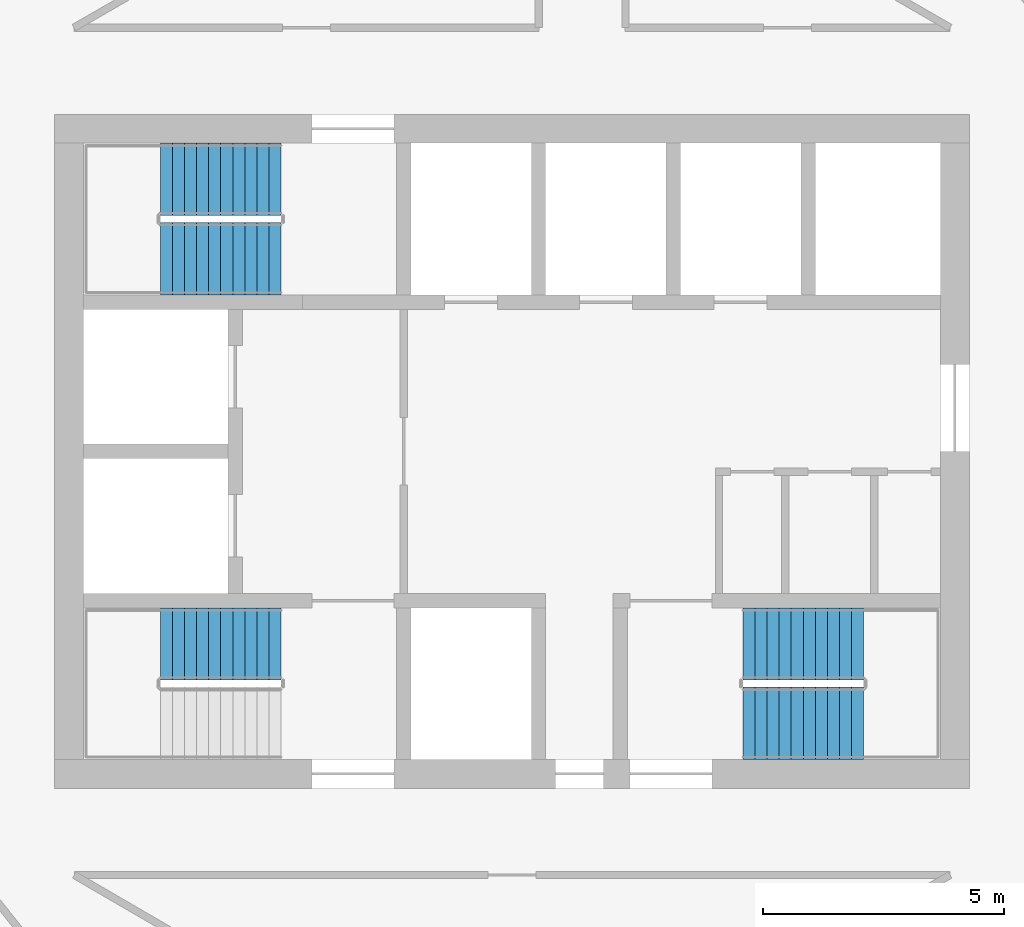
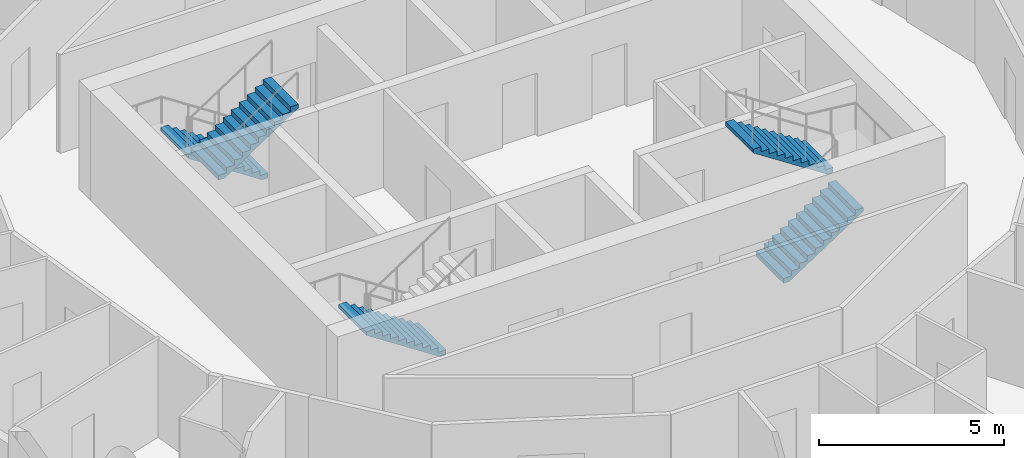
# One storey, part 10 of 11: 5 stair flights, 3 elements without a shape of their own.
"""IFC4 building model written with IfcOpenShell, lengths in metres."""

from ifc_helpers import new_model, si_unit, direction, frame, origin, place, context, subcontext, project, spatial, polyline, outline, extrude, material, type_object, element, aggregate, save


model = new_model("IFC4")

# Units and contexts
model_context = context("Model", 3, precision=1e-05, world=origin(), true_north=direction((0.0, 1.0)))
body_context = subcontext(model_context, "Body", "Model", "MODEL_VIEW")
ifc_project = project(units=[si_unit("LENGTHUNIT", "METRE"), si_unit("AREAUNIT", "SQUARE_METRE"), si_unit("VOLUMEUNIT", "CUBIC_METRE"), si_unit("PLANEANGLEUNIT", "RADIAN"), si_unit("MASSUNIT", "GRAM", prefix="KILO")], contexts=[model_context])

# Site, building, storey
site_placement = place(None, origin())
site = spatial("IfcSite", under=ifc_project, at=site_placement, CompositionType="ELEMENT")
building_placement = place(site_placement, origin())
building = spatial("IfcBuilding", under=site, at=building_placement, Name="Tracery Tower", CompositionType="ELEMENT")
storey_placement = place(building_placement, frame((0.0, 0.0, 267.0)))
storey = spatial("IfcBuildingStorey", under=building, at=storey_placement, Name="L69", CompositionType="ELEMENT", Elevation=267.0)

# Stair, stair flight
ifc_material_1 = material(Name="Concrete C32/40", Category="concrete")
stair_type = type_object("IfcStairType", Name="Core stair 22 risers", PredefinedType="HALF_TURN_STAIR", material=ifc_material_1)
stair_1_placement = place(storey_placement, origin())
stair_1 = element("IfcStair", 1, at=stair_1_placement, inside=storey, type_object=stair_type, Name="L69 stair ST1", PredefinedType="HALF_TURN_STAIR")
ifc_material_2 = material(Name="Concrete C32/40", Category="concrete")
stair_flight_type = type_object("IfcStairFlightType", Name="Core stair flight 11 risers", PredefinedType="STRAIGHT", material=ifc_material_2)
stair_flight_1_placement = place(storey_placement, frame((-4.800048828125, -4.0, 0.0), z_axis=(0.0, 0.0, 1.0), x_axis=(-1.0, 0.0, 0.0)))
stair_flight_1 = element("IfcStairFlight", 2, at=stair_flight_1_placement, type_object=stair_flight_type, Name="ST1 flight 1", NumberOfRisers=11, NumberOfTreads=10, PredefinedType="STRAIGHT", RiserHeight=0.163636364, TreadLength=0.25, context=body_context, shape_type="SweptSolid", body=[
    extrude(outline(polyline([(0.0, 0.0), (0.0, 0.002685546875), (0.0, 0.00537109375), (0.0, 0.008056640625), (0.0, 0.0107421875), (0.0, 0.013427734375), (0.0, 0.01611328125), (0.0, 0.018798828125), (0.0, 0.021484375), (0.0, 0.024169921875), (0.0, 0.02685546875), (0.0, 0.029541015625), (0.0, 0.0322265625), (0.0, 0.034912109375), (0.0, 0.03759765625), (0.0, 0.040283203125), (0.0, 0.04296875), (0.0, 0.045654296875), (0.0, 0.04833984375), (0.0, 0.051025390625), (0.0, 0.0537109375), (0.0, 0.056396484375), (0.0, 0.05908203125), (0.0, 0.061767578125), (0.0, 0.064453125), (0.0, 0.067138671875), (0.0, 0.06982421875), (0.0, 0.072509765625), (0.0, 0.0751953125), (0.0, 0.077880859375), (0.0, 0.08056640625), (0.0, 0.083251953125), (0.0, 0.0859375), (0.0, 0.088623046875), (0.0, 0.09130859375), (0.0, 0.093994140625), (0.0, 0.0966796875), (0.0, 0.099365234375), (0.0, 0.10205078125), (0.0, 0.104736328125), (0.0, 0.107421875), (0.0, 0.10986328125), (0.0, 0.112548828125), (0.0, 0.115234375), (0.0, 0.117919921875), (0.0, 0.12060546875), (0.0, 0.123291015625), (0.0, 0.1259765625), (0.0, 0.128662109375), (0.0, 0.13134765625), (0.0, 0.134033203125), (0.0, 0.13671875), (0.0, 0.139404296875), (0.0, 0.14208984375), (0.0, 0.144775390625), (0.0, 0.1474609375), (0.0, 0.150146484375), (0.0, 0.15283203125), (0.0, 0.155517578125), (0.0, 0.158203125), (0.0, 0.160888671875), (0.0, 0.16357421875), (0.25, 0.16357421875), (0.25, 0.327392578125), (0.5, 0.327392578125), (0.5, 0.490966796875), (0.75, 0.490966796875), (0.75, 0.654541015625), (1.0, 0.654541015625), (1.0, 0.818115234375), (1.25, 0.818115234375), (1.25, 0.98193359375), (1.5, 0.98193359375), (1.5, 1.1455078125), (1.75, 1.1455078125), (1.75, 1.30908203125), (2.0, 1.30908203125), (2.0, 1.47265625), (2.25, 1.47265625), (2.25, 1.636474609375), (2.5, 1.636474609375), (2.5, 1.634521484375), (2.5, 1.63232421875), (2.5, 1.63037109375), (2.5, 1.62841796875), (2.5, 1.62646484375), (2.5, 1.62451171875), (2.5, 1.62255859375), (2.5, 1.62060546875), (2.5, 1.61865234375), (2.5, 1.61669921875), (2.5, 1.61474609375), (2.5, 1.61279296875), (2.5, 1.61083984375), (2.5, 1.60888671875), (2.5, 1.60693359375), (2.5, 1.60498046875), (2.5, 1.60302734375), (2.5, 1.60107421875), (2.5, 1.59912109375), (2.5, 1.59716796875), (2.5, 1.59521484375), (2.5, 1.59326171875), (2.5, 1.59130859375), (2.5, 1.58935546875), (2.5, 1.58740234375), (2.5, 1.58544921875), (2.5, 1.58349609375), (2.5, 1.58154296875), (2.5, 1.57958984375), (2.5, 1.57763671875), (2.5, 1.57568359375), (2.5, 1.573486328125), (2.5, 1.571533203125), (2.5, 1.569580078125), (2.5, 1.567626953125), (2.5, 1.565673828125), (2.5, 1.563720703125), (2.5, 1.561767578125), (2.5, 1.559814453125), (2.5, 1.557861328125), (2.5, 1.555908203125), (2.5, 1.553955078125), (2.5, 1.552001953125), (2.5, 1.550048828125), (2.5, 1.548095703125), (2.5, 1.546142578125), (2.5, 1.544189453125), (2.5, 1.542236328125), (2.5, 1.540283203125), (2.5, 1.538330078125), (2.5, 1.536376953125), (2.5, 1.534423828125), (2.5, 1.532470703125), (2.5, 1.530517578125), (2.5, 1.528564453125), (2.5, 1.526611328125), (2.5, 1.524658203125), (2.5, 1.522705078125), (2.5, 1.520751953125), (2.5, 1.518798828125), (2.5, 1.516845703125), (0.182861328125, 0.0), (0.0, 0.0)])), frame((0.0, 0.75, 0.0), z_axis=(0.0, -1.0, 0.0), x_axis=(1.0, 0.0, 0.0)), (0.0, 0.0, 1.0), 1.5),
])
aggregate(stair_1, [stair_flight_1])

# Stair, stair flights
stair_2_placement = place(storey_placement, origin())
stair_2 = element("IfcStair", 3, at=stair_2_placement, inside=storey, type_object=stair_type, Name="L69 stair ST3", PredefinedType="HALF_TURN_STAIR")
stair_flight_2_placement = place(storey_placement, frame((-4.800048828125, 5.64990234375, 0.0), z_axis=(0.0, 0.0, 1.0), x_axis=(-1.0, 0.0, 0.0)))
stair_flight_2 = element("IfcStairFlight", 4, at=stair_flight_2_placement, type_object=stair_flight_type, Name="ST3 flight 1", NumberOfRisers=11, NumberOfTreads=10, PredefinedType="STRAIGHT", RiserHeight=0.163636364, TreadLength=0.25, context=body_context, shape_type="SweptSolid", body=[
    extrude(outline(polyline([(0.0, 0.0), (0.0, 0.002685546875), (0.0, 0.00537109375), (0.0, 0.008056640625), (0.0, 0.0107421875), (0.0, 0.013427734375), (0.0, 0.01611328125), (0.0, 0.018798828125), (0.0, 0.021484375), (0.0, 0.024169921875), (0.0, 0.02685546875), (0.0, 0.029541015625), (0.0, 0.0322265625), (0.0, 0.034912109375), (0.0, 0.03759765625), (0.0, 0.040283203125), (0.0, 0.04296875), (0.0, 0.045654296875), (0.0, 0.04833984375), (0.0, 0.051025390625), (0.0, 0.0537109375), (0.0, 0.056396484375), (0.0, 0.05908203125), (0.0, 0.061767578125), (0.0, 0.064453125), (0.0, 0.067138671875), (0.0, 0.06982421875), (0.0, 0.072509765625), (0.0, 0.0751953125), (0.0, 0.077880859375), (0.0, 0.08056640625), (0.0, 0.083251953125), (0.0, 0.0859375), (0.0, 0.088623046875), (0.0, 0.09130859375), (0.0, 0.093994140625), (0.0, 0.0966796875), (0.0, 0.099365234375), (0.0, 0.10205078125), (0.0, 0.104736328125), (0.0, 0.107421875), (0.0, 0.10986328125), (0.0, 0.112548828125), (0.0, 0.115234375), (0.0, 0.117919921875), (0.0, 0.12060546875), (0.0, 0.123291015625), (0.0, 0.1259765625), (0.0, 0.128662109375), (0.0, 0.13134765625), (0.0, 0.134033203125), (0.0, 0.13671875), (0.0, 0.139404296875), (0.0, 0.14208984375), (0.0, 0.144775390625), (0.0, 0.1474609375), (0.0, 0.150146484375), (0.0, 0.15283203125), (0.0, 0.155517578125), (0.0, 0.158203125), (0.0, 0.160888671875), (0.0, 0.16357421875), (0.25, 0.16357421875), (0.25, 0.327392578125), (0.5, 0.327392578125), (0.5, 0.490966796875), (0.75, 0.490966796875), (0.75, 0.654541015625), (1.0, 0.654541015625), (1.0, 0.818115234375), (1.25, 0.818115234375), (1.25, 0.98193359375), (1.5, 0.98193359375), (1.5, 1.1455078125), (1.75, 1.1455078125), (1.75, 1.30908203125), (2.0, 1.30908203125), (2.0, 1.47265625), (2.25, 1.47265625), (2.25, 1.636474609375), (2.5, 1.636474609375), (2.5, 1.634521484375), (2.5, 1.63232421875), (2.5, 1.63037109375), (2.5, 1.62841796875), (2.5, 1.62646484375), (2.5, 1.62451171875), (2.5, 1.62255859375), (2.5, 1.62060546875), (2.5, 1.61865234375), (2.5, 1.61669921875), (2.5, 1.61474609375), (2.5, 1.61279296875), (2.5, 1.61083984375), (2.5, 1.60888671875), (2.5, 1.60693359375), (2.5, 1.60498046875), (2.5, 1.60302734375), (2.5, 1.60107421875), (2.5, 1.59912109375), (2.5, 1.59716796875), (2.5, 1.59521484375), (2.5, 1.59326171875), (2.5, 1.59130859375), (2.5, 1.58935546875), (2.5, 1.58740234375), (2.5, 1.58544921875), (2.5, 1.58349609375), (2.5, 1.58154296875), (2.5, 1.57958984375), (2.5, 1.57763671875), (2.5, 1.57568359375), (2.5, 1.573486328125), (2.5, 1.571533203125), (2.5, 1.569580078125), (2.5, 1.567626953125), (2.5, 1.565673828125), (2.5, 1.563720703125), (2.5, 1.561767578125), (2.5, 1.559814453125), (2.5, 1.557861328125), (2.5, 1.555908203125), (2.5, 1.553955078125), (2.5, 1.552001953125), (2.5, 1.550048828125), (2.5, 1.548095703125), (2.5, 1.546142578125), (2.5, 1.544189453125), (2.5, 1.542236328125), (2.5, 1.540283203125), (2.5, 1.538330078125), (2.5, 1.536376953125), (2.5, 1.534423828125), (2.5, 1.532470703125), (2.5, 1.530517578125), (2.5, 1.528564453125), (2.5, 1.526611328125), (2.5, 1.524658203125), (2.5, 1.522705078125), (2.5, 1.520751953125), (2.5, 1.518798828125), (2.5, 1.516845703125), (0.182861328125, 0.0), (0.0, 0.0)])), frame((0.0, 0.75, 0.0), z_axis=(0.0, -1.0, 0.0), x_axis=(1.0, 0.0, 0.0)), (0.0, 0.0, 1.0), 1.5),
])
stair_flight_3_placement = place(storey_placement, frame((-7.300048828125, 4.0, 1.800048828125), z_axis=(0.0, 0.0, 1.0), x_axis=(1.0, 0.0, 0.0)))
stair_flight_3 = element("IfcStairFlight", 5, at=stair_flight_3_placement, type_object=stair_flight_type, Name="ST3 flight 2", NumberOfRisers=11, NumberOfTreads=10, PredefinedType="STRAIGHT", RiserHeight=0.163636364, TreadLength=0.25, context=body_context, shape_type="SweptSolid", body=[
    extrude(outline(polyline([(0.0, 0.0), (0.0, 0.002685546875), (0.0, 0.00537109375), (0.0, 0.008056640625), (0.0, 0.0107421875), (0.0, 0.013427734375), (0.0, 0.01611328125), (0.0, 0.018798828125), (0.0, 0.021484375), (0.0, 0.024169921875), (0.0, 0.02685546875), (0.0, 0.029541015625), (0.0, 0.0322265625), (0.0, 0.034912109375), (0.0, 0.03759765625), (0.0, 0.040283203125), (0.0, 0.04296875), (0.0, 0.045654296875), (0.0, 0.04833984375), (0.0, 0.051025390625), (0.0, 0.0537109375), (0.0, 0.056396484375), (0.0, 0.05908203125), (0.0, 0.061767578125), (0.0, 0.064453125), (0.0, 0.067138671875), (0.0, 0.06982421875), (0.0, 0.072509765625), (0.0, 0.0751953125), (0.0, 0.077880859375), (0.0, 0.08056640625), (0.0, 0.083251953125), (0.0, 0.0859375), (0.0, 0.088623046875), (0.0, 0.09130859375), (0.0, 0.093994140625), (0.0, 0.0966796875), (0.0, 0.099365234375), (0.0, 0.10205078125), (0.0, 0.104736328125), (0.0, 0.107421875), (0.0, 0.10986328125), (0.0, 0.112548828125), (0.0, 0.115234375), (0.0, 0.117919921875), (0.0, 0.12060546875), (0.0, 0.123291015625), (0.0, 0.1259765625), (0.0, 0.128662109375), (0.0, 0.13134765625), (0.0, 0.134033203125), (0.0, 0.13671875), (0.0, 0.139404296875), (0.0, 0.14208984375), (0.0, 0.144775390625), (0.0, 0.1474609375), (0.0, 0.150146484375), (0.0, 0.15283203125), (0.0, 0.155517578125), (0.0, 0.158203125), (0.0, 0.160888671875), (0.0, 0.16357421875), (0.25, 0.16357421875), (0.25, 0.327392578125), (0.5, 0.327392578125), (0.5, 0.490966796875), (0.75, 0.490966796875), (0.75, 0.654541015625), (1.0, 0.654541015625), (1.0, 0.818115234375), (1.25, 0.818115234375), (1.25, 0.98193359375), (1.5, 0.98193359375), (1.5, 1.1455078125), (1.75, 1.1455078125), (1.75, 1.30908203125), (2.0, 1.30908203125), (2.0, 1.47265625), (2.25, 1.47265625), (2.25, 1.636474609375), (2.5, 1.636474609375), (2.5, 1.634521484375), (2.5, 1.63232421875), (2.5, 1.63037109375), (2.5, 1.62841796875), (2.5, 1.62646484375), (2.5, 1.62451171875), (2.5, 1.62255859375), (2.5, 1.62060546875), (2.5, 1.61865234375), (2.5, 1.61669921875), (2.5, 1.61474609375), (2.5, 1.61279296875), (2.5, 1.61083984375), (2.5, 1.60888671875), (2.5, 1.60693359375), (2.5, 1.60498046875), (2.5, 1.60302734375), (2.5, 1.60107421875), (2.5, 1.59912109375), (2.5, 1.59716796875), (2.5, 1.59521484375), (2.5, 1.59326171875), (2.5, 1.59130859375), (2.5, 1.58935546875), (2.5, 1.58740234375), (2.5, 1.58544921875), (2.5, 1.58349609375), (2.5, 1.58154296875), (2.5, 1.57958984375), (2.5, 1.57763671875), (2.5, 1.57568359375), (2.5, 1.573486328125), (2.5, 1.571533203125), (2.5, 1.569580078125), (2.5, 1.567626953125), (2.5, 1.565673828125), (2.5, 1.563720703125), (2.5, 1.561767578125), (2.5, 1.559814453125), (2.5, 1.557861328125), (2.5, 1.555908203125), (2.5, 1.553955078125), (2.5, 1.552001953125), (2.5, 1.550048828125), (2.5, 1.548095703125), (2.5, 1.546142578125), (2.5, 1.544189453125), (2.5, 1.542236328125), (2.5, 1.540283203125), (2.5, 1.538330078125), (2.5, 1.536376953125), (2.5, 1.534423828125), (2.5, 1.532470703125), (2.5, 1.530517578125), (2.5, 1.528564453125), (2.5, 1.526611328125), (2.5, 1.524658203125), (2.5, 1.522705078125), (2.5, 1.520751953125), (2.5, 1.518798828125), (2.5, 1.516845703125), (0.182861328125, 0.0), (0.0, 0.0)])), frame((0.0, 0.75, 0.0), z_axis=(0.0, -1.0, 0.0), x_axis=(1.0, 0.0, 0.0)), (0.0, 0.0, 1.0), 1.5),
])
aggregate(stair_2, [stair_flight_2, stair_flight_3])

stair_3_placement = place(storey_placement, origin())
stair_3 = element("IfcStair", 6, at=stair_3_placement, inside=storey, type_object=stair_type, Name="L69 stair ST2", PredefinedType="HALF_TURN_STAIR")
stair_flight_4_placement = place(storey_placement, frame((4.800048828125, -5.64990234375, 0.0), z_axis=(0.0, 0.0, 1.0), x_axis=(1.0, 0.0, 0.0)))
stair_flight_4 = element("IfcStairFlight", 7, at=stair_flight_4_placement, type_object=stair_flight_type, Name="ST2 flight 1", NumberOfRisers=11, NumberOfTreads=10, PredefinedType="STRAIGHT", RiserHeight=0.163636364, TreadLength=0.25, context=body_context, shape_type="SweptSolid", body=[
    extrude(outline(polyline([(0.0, 0.0), (0.0, 0.002685546875), (0.0, 0.00537109375), (0.0, 0.008056640625), (0.0, 0.0107421875), (0.0, 0.013427734375), (0.0, 0.01611328125), (0.0, 0.018798828125), (0.0, 0.021484375), (0.0, 0.024169921875), (0.0, 0.02685546875), (0.0, 0.029541015625), (0.0, 0.0322265625), (0.0, 0.034912109375), (0.0, 0.03759765625), (0.0, 0.040283203125), (0.0, 0.04296875), (0.0, 0.045654296875), (0.0, 0.04833984375), (0.0, 0.051025390625), (0.0, 0.0537109375), (0.0, 0.056396484375), (0.0, 0.05908203125), (0.0, 0.061767578125), (0.0, 0.064453125), (0.0, 0.067138671875), (0.0, 0.06982421875), (0.0, 0.072509765625), (0.0, 0.0751953125), (0.0, 0.077880859375), (0.0, 0.08056640625), (0.0, 0.083251953125), (0.0, 0.0859375), (0.0, 0.088623046875), (0.0, 0.09130859375), (0.0, 0.093994140625), (0.0, 0.0966796875), (0.0, 0.099365234375), (0.0, 0.10205078125), (0.0, 0.104736328125), (0.0, 0.107421875), (0.0, 0.10986328125), (0.0, 0.112548828125), (0.0, 0.115234375), (0.0, 0.117919921875), (0.0, 0.12060546875), (0.0, 0.123291015625), (0.0, 0.1259765625), (0.0, 0.128662109375), (0.0, 0.13134765625), (0.0, 0.134033203125), (0.0, 0.13671875), (0.0, 0.139404296875), (0.0, 0.14208984375), (0.0, 0.144775390625), (0.0, 0.1474609375), (0.0, 0.150146484375), (0.0, 0.15283203125), (0.0, 0.155517578125), (0.0, 0.158203125), (0.0, 0.160888671875), (0.0, 0.16357421875), (0.25, 0.16357421875), (0.25, 0.327392578125), (0.5, 0.327392578125), (0.5, 0.490966796875), (0.75, 0.490966796875), (0.75, 0.654541015625), (1.0, 0.654541015625), (1.0, 0.818115234375), (1.25, 0.818115234375), (1.25, 0.98193359375), (1.5, 0.98193359375), (1.5, 1.1455078125), (1.75, 1.1455078125), (1.75, 1.30908203125), (2.0, 1.30908203125), (2.0, 1.47265625), (2.25, 1.47265625), (2.25, 1.636474609375), (2.5, 1.636474609375), (2.5, 1.634521484375), (2.5, 1.63232421875), (2.5, 1.63037109375), (2.5, 1.62841796875), (2.5, 1.62646484375), (2.5, 1.62451171875), (2.5, 1.62255859375), (2.5, 1.62060546875), (2.5, 1.61865234375), (2.5, 1.61669921875), (2.5, 1.61474609375), (2.5, 1.61279296875), (2.5, 1.61083984375), (2.5, 1.60888671875), (2.5, 1.60693359375), (2.5, 1.60498046875), (2.5, 1.60302734375), (2.5, 1.60107421875), (2.5, 1.59912109375), (2.5, 1.59716796875), (2.5, 1.59521484375), (2.5, 1.59326171875), (2.5, 1.59130859375), (2.5, 1.58935546875), (2.5, 1.58740234375), (2.5, 1.58544921875), (2.5, 1.58349609375), (2.5, 1.58154296875), (2.5, 1.57958984375), (2.5, 1.57763671875), (2.5, 1.57568359375), (2.5, 1.573486328125), (2.5, 1.571533203125), (2.5, 1.569580078125), (2.5, 1.567626953125), (2.5, 1.565673828125), (2.5, 1.563720703125), (2.5, 1.561767578125), (2.5, 1.559814453125), (2.5, 1.557861328125), (2.5, 1.555908203125), (2.5, 1.553955078125), (2.5, 1.552001953125), (2.5, 1.550048828125), (2.5, 1.548095703125), (2.5, 1.546142578125), (2.5, 1.544189453125), (2.5, 1.542236328125), (2.5, 1.540283203125), (2.5, 1.538330078125), (2.5, 1.536376953125), (2.5, 1.534423828125), (2.5, 1.532470703125), (2.5, 1.530517578125), (2.5, 1.528564453125), (2.5, 1.526611328125), (2.5, 1.524658203125), (2.5, 1.522705078125), (2.5, 1.520751953125), (2.5, 1.518798828125), (2.5, 1.516845703125), (0.182861328125, 0.0), (0.0, 0.0)])), frame((0.0, 0.75, 0.0), z_axis=(0.0, -1.0, 0.0), x_axis=(1.0, 0.0, 0.0)), (0.0, 0.0, 1.0), 1.5),
])
stair_flight_5_placement = place(storey_placement, frame((7.300048828125, -4.0, 1.800048828125), z_axis=(0.0, 0.0, 1.0), x_axis=(-1.0, 0.0, 0.0)))
stair_flight_5 = element("IfcStairFlight", 8, at=stair_flight_5_placement, type_object=stair_flight_type, Name="ST2 flight 2", NumberOfRisers=11, NumberOfTreads=10, PredefinedType="STRAIGHT", RiserHeight=0.163636364, TreadLength=0.25, context=body_context, shape_type="SweptSolid", body=[
    extrude(outline(polyline([(0.0, 0.0), (0.0, 0.002685546875), (0.0, 0.00537109375), (0.0, 0.008056640625), (0.0, 0.0107421875), (0.0, 0.013427734375), (0.0, 0.01611328125), (0.0, 0.018798828125), (0.0, 0.021484375), (0.0, 0.024169921875), (0.0, 0.02685546875), (0.0, 0.029541015625), (0.0, 0.0322265625), (0.0, 0.034912109375), (0.0, 0.03759765625), (0.0, 0.040283203125), (0.0, 0.04296875), (0.0, 0.045654296875), (0.0, 0.04833984375), (0.0, 0.051025390625), (0.0, 0.0537109375), (0.0, 0.056396484375), (0.0, 0.05908203125), (0.0, 0.061767578125), (0.0, 0.064453125), (0.0, 0.067138671875), (0.0, 0.06982421875), (0.0, 0.072509765625), (0.0, 0.0751953125), (0.0, 0.077880859375), (0.0, 0.08056640625), (0.0, 0.083251953125), (0.0, 0.0859375), (0.0, 0.088623046875), (0.0, 0.09130859375), (0.0, 0.093994140625), (0.0, 0.0966796875), (0.0, 0.099365234375), (0.0, 0.10205078125), (0.0, 0.104736328125), (0.0, 0.107421875), (0.0, 0.10986328125), (0.0, 0.112548828125), (0.0, 0.115234375), (0.0, 0.117919921875), (0.0, 0.12060546875), (0.0, 0.123291015625), (0.0, 0.1259765625), (0.0, 0.128662109375), (0.0, 0.13134765625), (0.0, 0.134033203125), (0.0, 0.13671875), (0.0, 0.139404296875), (0.0, 0.14208984375), (0.0, 0.144775390625), (0.0, 0.1474609375), (0.0, 0.150146484375), (0.0, 0.15283203125), (0.0, 0.155517578125), (0.0, 0.158203125), (0.0, 0.160888671875), (0.0, 0.16357421875), (0.25, 0.16357421875), (0.25, 0.327392578125), (0.5, 0.327392578125), (0.5, 0.490966796875), (0.75, 0.490966796875), (0.75, 0.654541015625), (1.0, 0.654541015625), (1.0, 0.818115234375), (1.25, 0.818115234375), (1.25, 0.98193359375), (1.5, 0.98193359375), (1.5, 1.1455078125), (1.75, 1.1455078125), (1.75, 1.30908203125), (2.0, 1.30908203125), (2.0, 1.47265625), (2.25, 1.47265625), (2.25, 1.636474609375), (2.5, 1.636474609375), (2.5, 1.634521484375), (2.5, 1.63232421875), (2.5, 1.63037109375), (2.5, 1.62841796875), (2.5, 1.62646484375), (2.5, 1.62451171875), (2.5, 1.62255859375), (2.5, 1.62060546875), (2.5, 1.61865234375), (2.5, 1.61669921875), (2.5, 1.61474609375), (2.5, 1.61279296875), (2.5, 1.61083984375), (2.5, 1.60888671875), (2.5, 1.60693359375), (2.5, 1.60498046875), (2.5, 1.60302734375), (2.5, 1.60107421875), (2.5, 1.59912109375), (2.5, 1.59716796875), (2.5, 1.59521484375), (2.5, 1.59326171875), (2.5, 1.59130859375), (2.5, 1.58935546875), (2.5, 1.58740234375), (2.5, 1.58544921875), (2.5, 1.58349609375), (2.5, 1.58154296875), (2.5, 1.57958984375), (2.5, 1.57763671875), (2.5, 1.57568359375), (2.5, 1.573486328125), (2.5, 1.571533203125), (2.5, 1.569580078125), (2.5, 1.567626953125), (2.5, 1.565673828125), (2.5, 1.563720703125), (2.5, 1.561767578125), (2.5, 1.559814453125), (2.5, 1.557861328125), (2.5, 1.555908203125), (2.5, 1.553955078125), (2.5, 1.552001953125), (2.5, 1.550048828125), (2.5, 1.548095703125), (2.5, 1.546142578125), (2.5, 1.544189453125), (2.5, 1.542236328125), (2.5, 1.540283203125), (2.5, 1.538330078125), (2.5, 1.536376953125), (2.5, 1.534423828125), (2.5, 1.532470703125), (2.5, 1.530517578125), (2.5, 1.528564453125), (2.5, 1.526611328125), (2.5, 1.524658203125), (2.5, 1.522705078125), (2.5, 1.520751953125), (2.5, 1.518798828125), (2.5, 1.516845703125), (0.182861328125, 0.0), (0.0, 0.0)])), frame((0.0, 0.75, 0.0), z_axis=(0.0, -1.0, 0.0), x_axis=(1.0, 0.0, 0.0)), (0.0, 0.0, 1.0), 1.5),
])
aggregate(stair_3, [stair_flight_4, stair_flight_5])

save(model, "model.ifc")
